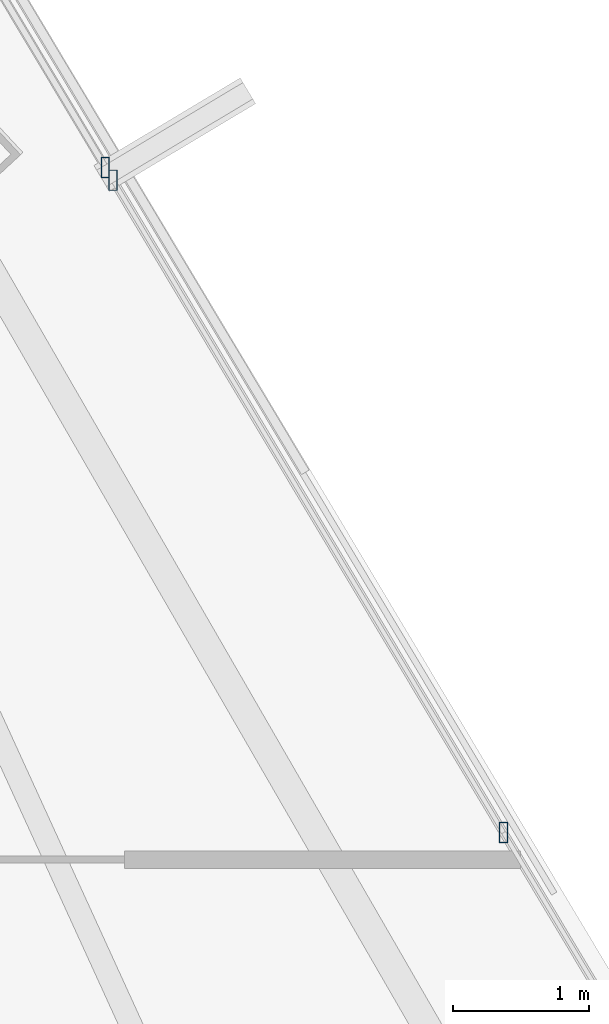
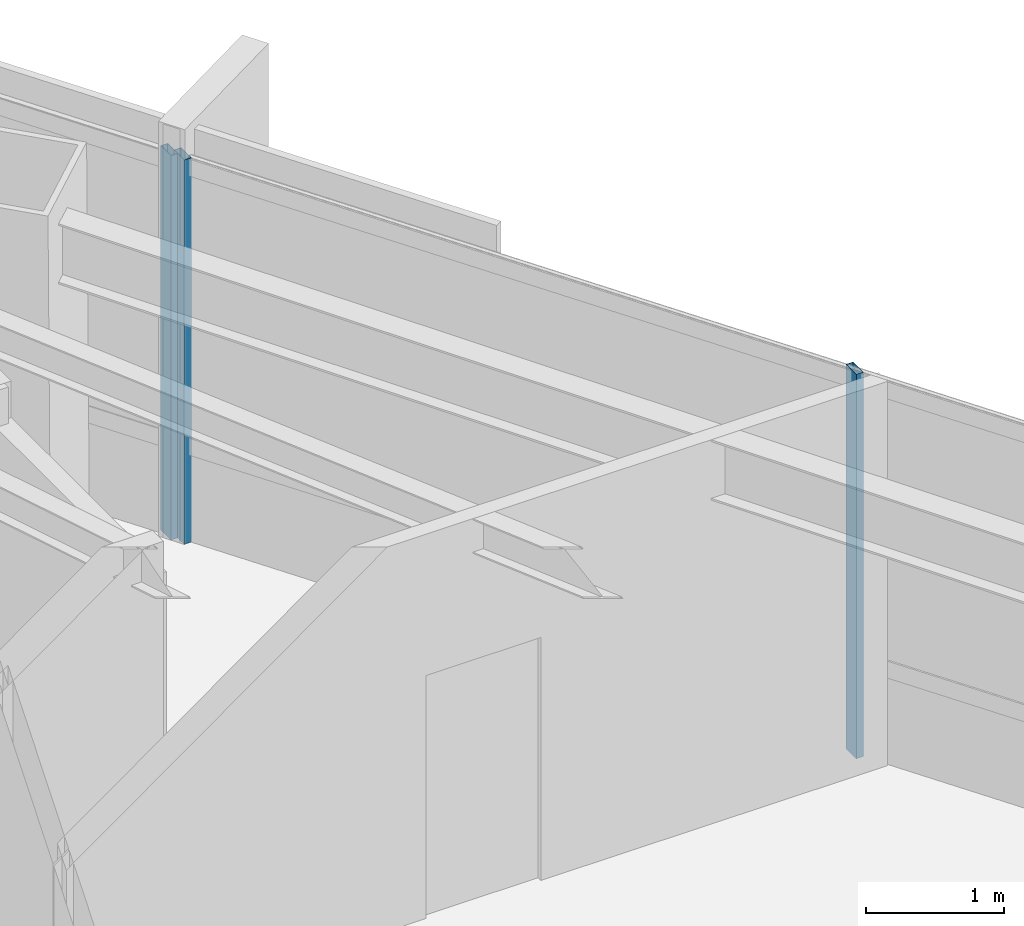
# One storey, part 23 of 41: 3 members, 2 elements without a shape of their own.
"""IFC4 building model written with IfcOpenShell, lengths in metres."""

from ifc_helpers import new_model, si_unit, direction, frame, origin, origin_2d, place, context, subcontext, project, spatial, hollow_rectangle, extrude, source, transform, mapped, material, material_profile, profile_set, type_object, type_shapes, element, aggregate, save


model = new_model("IFC4")

# Units and contexts
model_context = context("Model", 3, precision=1e-05, world=origin(), true_north=direction((0.0, 1.0)))
body_context = subcontext(model_context, "Body", "Model", "MODEL_VIEW")
ifc_project = project(units=[si_unit("LENGTHUNIT", "METRE"), si_unit("AREAUNIT", "SQUARE_METRE"), si_unit("VOLUMEUNIT", "CUBIC_METRE"), si_unit("PLANEANGLEUNIT", "RADIAN"), si_unit("MASSUNIT", "GRAM", prefix="KILO")], contexts=[model_context])

# Site, building, storey
site_placement = place(None, origin())
site = spatial("IfcSite", under=ifc_project, at=site_placement, CompositionType="ELEMENT")
building_placement = place(site_placement, origin())
building = spatial("IfcBuilding", under=site, at=building_placement, Name="Caelisora Broadcast Tower", CompositionType="ELEMENT")
storey_placement = place(building_placement, frame((0.0, 0.0, 162.14990234375)))
storey = spatial("IfcBuildingStorey", under=building, at=storey_placement, Name="L42", CompositionType="ELEMENT", Elevation=162.14990234375)

# Curtain wall, member
ifc_material_1 = material(Name="Unitised Aluminium Insulated Shadow-Box Spandrel Curtain Wall", Category="aluminium")
curtain_wall_type_1 = type_object("IfcCurtainWallType", Name="CW-SP2", PredefinedType="NOTDEFINED", material=ifc_material_1)
curtain_wall_1_placement = place(storey_placement, origin())
curtain_wall_1 = element("IfcCurtainWall", 1, at=curtain_wall_1_placement, inside=storey, type_object=curtain_wall_type_1, Name="L42 curtain wall CW-SP2", PredefinedType="NOTDEFINED")
ifc_material_2 = material(Name="Aluminium 6063-T6 Anodised Terracotta Bronze", Category="aluminium")
ifc_material_profile = material_profile(ifc_material_2, hollow_rectangle(XDim=0.06005859375, YDim=0.14990234375, WallThickness=0.00341796875, at=origin_2d()), Name="Aluminium 6063-T6 Anodised Terracotta Bronze")
ifc_profile_set = profile_set([ifc_material_profile], Name="Aluminium 6063-T6 Anodised Terracotta Bronze")
member_type = type_object("IfcMemberType", Name="CWM-03", PredefinedType="MULLION", material=ifc_profile_set)
shared_shape = source(origin(), body_context, "Body", "SweptSolid", [
    extrude(hollow_rectangle(XDim=0.06005859375, YDim=0.14990234375, WallThickness=0.00341796875, at=origin_2d()), origin(), (0.0, 0.0, 1.0), 3.400146484375),
])
type_shapes(member_type, [shared_shape])
member_1_placement = place(storey_placement, frame((56.335693359375, 27.38623046875, 0.0), z_axis=(0.0, 0.0, 1.0), x_axis=(1.0, 0.0, 0.0)))
member_1 = element("IfcMember", 2, at=member_1_placement, type_object=member_type, Name="L42-CW-B02 mullion #3", PredefinedType="MULLION", context=body_context, shape_type="MappedRepresentation", body=[
    mapped(shared_shape, transform((0.0, 0.0, 0.0), scale=1.0)),
])
aggregate(curtain_wall_1, [member_1])

# Curtain wall, members
ifc_material_3 = material(Name="Unitised Aluminium and Low-E Glass Curtain Wall", Category="glass")
curtain_wall_type_2 = type_object("IfcCurtainWallType", Name="CW-Z3", PredefinedType="NOTDEFINED", material=ifc_material_3)
curtain_wall_2_placement = place(storey_placement, origin())
curtain_wall_2 = element("IfcCurtainWall", 3, at=curtain_wall_2_placement, inside=storey, type_object=curtain_wall_type_2, Name="L42 curtain wall CW-Z3", PredefinedType="NOTDEFINED")
member_2_placement = place(storey_placement, frame((56.39208984375, 27.291748046875, 0.0), z_axis=(0.0, 0.0, 1.0), x_axis=(1.0, 0.0, 0.0)))
member_2 = element("IfcMember", 4, at=member_2_placement, type_object=member_type, Name="L42-CW-B03 mullion #0", PredefinedType="MULLION", context=body_context, shape_type="MappedRepresentation", body=[
    mapped(shared_shape, transform((0.0, 0.0, 0.0), scale=1.0)),
])
member_3_placement = place(storey_placement, frame((59.25537109375, 22.508056640625, 0.0), z_axis=(0.0, 0.0, 1.0), x_axis=(1.0, 0.0, 0.0)))
member_3 = element("IfcMember", 5, at=member_3_placement, type_object=member_type, Name="L42-CW-B03 mullion #1", PredefinedType="MULLION", context=body_context, shape_type="MappedRepresentation", body=[
    mapped(shared_shape, transform((0.0, 0.0, 0.0), scale=1.0)),
])
aggregate(curtain_wall_2, [member_2, member_3])

save(model, "model.ifc")
